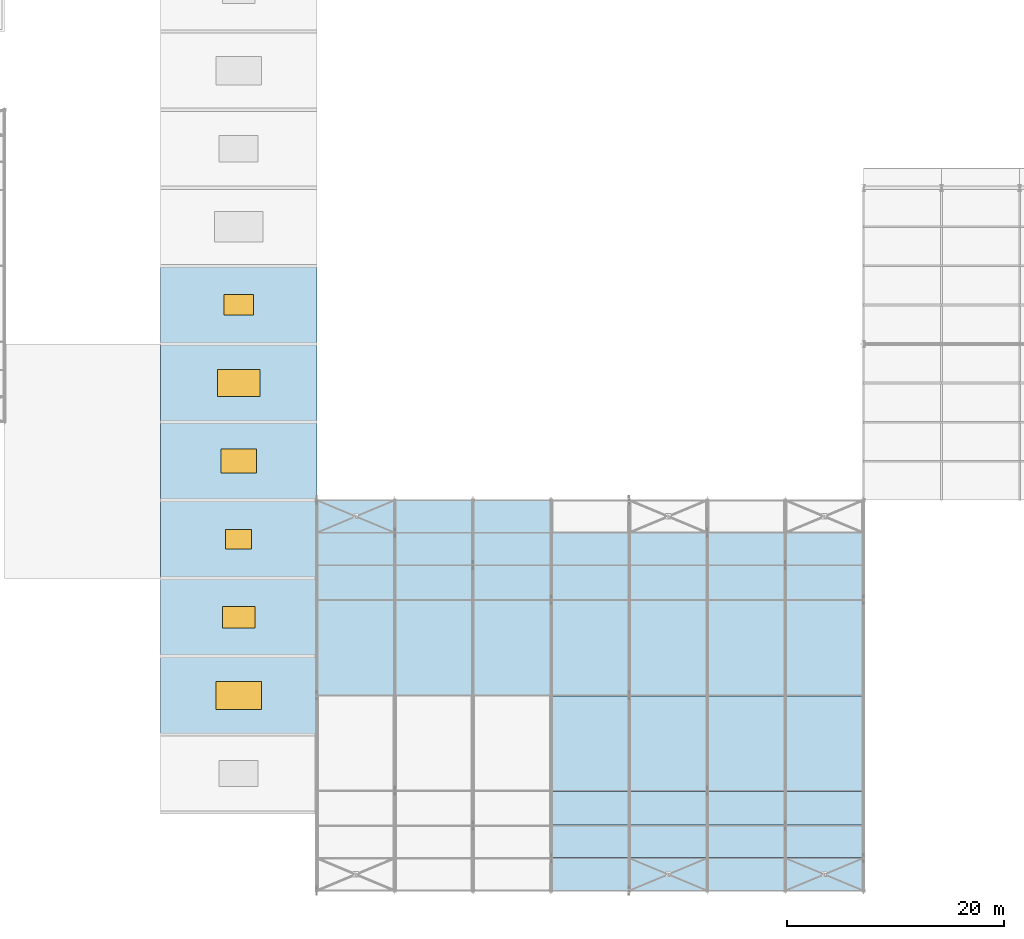
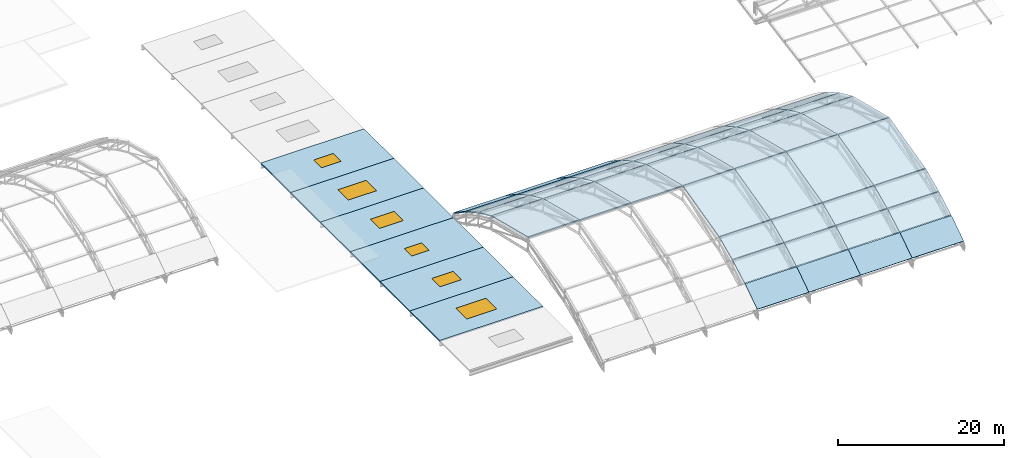
# One storey, part 35 of 63: 46 slabs, 6 windows, 6 openings, 2 elements without a shape of their own.
"""IFC4 building model written with IfcOpenShell, lengths in metres."""

from ifc_helpers import new_model, si_unit, direction, frame, origin, origin_2d, place, context, subcontext, project, spatial, polyline, rectangle, outline, extrude, material, layer, layer_set, type_object, element, fill, aggregate, save


model = new_model("IFC4")

# Units and contexts
model_context = context("Model", 3, precision=1e-05, world=origin(), true_north=direction((0.0, 1.0)))
body_context = subcontext(model_context, "Body", "Model", "MODEL_VIEW")
ifc_project = project(units=[si_unit("LENGTHUNIT", "METRE"), si_unit("AREAUNIT", "SQUARE_METRE"), si_unit("VOLUMEUNIT", "CUBIC_METRE"), si_unit("PLANEANGLEUNIT", "RADIAN"), si_unit("MASSUNIT", "GRAM", prefix="KILO")], contexts=[model_context])

# Site, building, storey
site_placement = place(None, origin())
site = spatial("IfcSite", under=ifc_project, at=site_placement, CompositionType="ELEMENT")
building_placement = place(site_placement, origin())
building = spatial("IfcBuilding", under=site, at=building_placement, Name="Solvadek Multi-Sports Hall", CompositionType="ELEMENT")
storey_placement = place(building_placement, frame((0.0, 0.0, 19.199951171875)))
storey = spatial("IfcBuildingStorey", under=building, at=storey_placement, Name="RF", CompositionType="ELEMENT", Elevation=19.199951171875)

# Roof, slabs
ifc_material_1 = material(Name="Steel E350 (350 MPa)", Category="steel")
roof_type_1 = type_object("IfcRoofType", Name="STR-ROOF-BARREL", PredefinedType="BARREL_ROOF", material=ifc_material_1)
roof_1_placement = place(storey_placement, origin())
roof_1 = element("IfcRoof", 1, at=roof_1_placement, inside=storey, type_object=roof_type_1, Name="V1 Competition Hall Barrel Vault Roof", PredefinedType="BARREL_ROOF")
ifc_material_2 = material(Name="Verdigris-coated precast concrete M40", Category="concrete")
ifc_layer_1 = layer(ifc_material_2, 0.14990234375, Name="Verdigris-coated precast concrete M40")
ifc_layer_set_1 = layer_set([ifc_layer_1], Name="Verdigris-coated precast concrete M40")
slab_type_1 = type_object("IfcSlabType", Name="STR-SLB-ROOF150", PredefinedType="ROOF", material=ifc_layer_set_1)
slab_1_placement = place(storey_placement, frame((86.39990234375, 24.035888671875, 4.455810546875), z_axis=(0.0, 0.243059100651, 0.970011481164), x_axis=(1.0, 0.0, 0.0)))
slab_1 = element("IfcSlab", 2, at=slab_1_placement, type_object=slab_type_1, Name="V1 Vaulted Roof Deck Bay 1.5", PredefinedType="ROOF", context=body_context, shape_type="SweptSolid", body=[
    extrude(outline(polyline([(0.0, 0.0), (7.2001953125, 0.0), (7.2001953125, 8.997859832826778), (0.0, 8.997859832826778), (0.0, 0.0)])), origin(), (0.0, 0.0, -1.0), 0.14990234375),
])
slab_2_placement = place(storey_placement, frame((86.39990234375, 32.8359375, 2.243408203125), z_axis=(0.0, 0.412913738575, 0.910770138123), x_axis=(1.0, 0.0, 0.0)))
slab_2 = element("IfcSlab", 3, at=slab_2_placement, type_object=slab_type_1, Name="V1 Vaulted Roof Deck Bay 1.6", PredefinedType="ROOF", context=body_context, shape_type="SweptSolid", body=[
    extrude(outline(polyline([(0.0, 0.0), (7.2001953125, 0.0), (7.2001953125, 3.434646896276404), (0.0, 3.434646896276404), (0.0, 0.0)])), origin(), (0.0, 0.0, -1.0), 0.14990234375),
])
slab_3_placement = place(storey_placement, frame((86.39990234375, 36.035888671875, 0.788818359375), z_axis=(0.0, 0.487625573172, 0.873052862311), x_axis=(1.0, 0.0, 0.0)))
slab_3 = element("IfcSlab", 4, at=slab_3_placement, type_object=slab_type_1, Name="V1 Vaulted Roof Deck Bay 1.7", PredefinedType="ROOF", context=body_context, shape_type="SweptSolid", body=[
    extrude(outline(polyline([(0.0, 0.0), (7.2001953125, 0.0), (7.2001953125, 3.35400384405083), (0.0, 3.35400384405083), (0.0, 0.0)])), origin(), (0.0, 0.0, -1.0), 0.14990234375),
])
slab_4_placement = place(storey_placement, frame((86.39990234375, 39.035888671875, -0.890869140625), z_axis=(0.0, 0.555458630564, 0.831544171847), x_axis=(1.0, 0.0, 0.0)))
slab_4 = element("IfcSlab", 5, at=slab_4_placement, type_object=slab_type_1, Name="V1 Vaulted Roof Deck Bay 1.8", PredefinedType="ROOF", context=body_context, shape_type="SweptSolid", body=[
    extrude(outline(polyline([(0.0, 0.0), (7.2001953125, 0.0), (7.2001953125, 3.5645867393220243), (0.0, 3.5645867393220243), (0.0, 0.0)])), origin(), (0.0, 0.0, -1.0), 0.14990234375),
])
slab_5_placement = place(storey_placement, frame((93.60009765625, 24.035888671875, 4.455810546875), z_axis=(0.0, 0.243059100651, 0.970011481164), x_axis=(1.0, 0.0, 0.0)))
slab_5 = element("IfcSlab", 6, at=slab_5_placement, type_object=slab_type_1, Name="V1 Vaulted Roof Deck Bay 2.5", PredefinedType="ROOF", context=body_context, shape_type="SweptSolid", body=[
    extrude(outline(polyline([(0.0, 0.0), (7.199951171875, 0.0), (7.199951171875, 8.997859832826775), (0.0, 8.997859832826775), (0.0, 0.0)])), origin(), (0.0, 0.0, -1.0), 0.14990234375),
])
slab_6_placement = place(storey_placement, frame((93.60009765625, 32.8359375, 2.243408203125), z_axis=(0.0, 0.412913738575, 0.910770138123), x_axis=(1.0, 0.0, 0.0)))
slab_6 = element("IfcSlab", 7, at=slab_6_placement, type_object=slab_type_1, Name="V1 Vaulted Roof Deck Bay 2.6", PredefinedType="ROOF", context=body_context, shape_type="SweptSolid", body=[
    extrude(outline(polyline([(0.0, 0.0), (7.199951171875, 0.0), (7.199951171875, 3.434646896276404), (0.0, 3.434646896276404), (0.0, 0.0)])), origin(), (0.0, 0.0, -1.0), 0.14990234375),
])
slab_7_placement = place(storey_placement, frame((93.60009765625, 36.035888671875, 0.788818359375), z_axis=(0.0, 0.487625573172, 0.873052862311), x_axis=(1.0, 0.0, 0.0)))
slab_7 = element("IfcSlab", 8, at=slab_7_placement, type_object=slab_type_1, Name="V1 Vaulted Roof Deck Bay 2.7", PredefinedType="ROOF", context=body_context, shape_type="SweptSolid", body=[
    extrude(outline(polyline([(0.0, 0.0), (7.199951171875, 0.0), (7.199951171875, 3.35400384405083), (0.0, 3.35400384405083), (0.0, 0.0)])), origin(), (0.0, 0.0, -1.0), 0.14990234375),
])
slab_8_placement = place(storey_placement, frame((93.60009765625, 39.035888671875, -0.890869140625), z_axis=(0.0, 0.555458630564, 0.831544171847), x_axis=(1.0, 0.0, 0.0)))
slab_8 = element("IfcSlab", 9, at=slab_8_placement, type_object=slab_type_1, Name="V1 Vaulted Roof Deck Bay 2.8", PredefinedType="ROOF", context=body_context, shape_type="SweptSolid", body=[
    extrude(outline(polyline([(0.0, 0.0), (7.199951171875, 0.0), (7.199951171875, 3.5645867393220243), (0.0, 3.5645867393220243), (0.0, 0.0)])), origin(), (0.0, 0.0, -1.0), 0.14990234375),
])
slab_9_placement = place(storey_placement, frame((100.800048828125, 24.035888671875, 4.455810546875), z_axis=(0.0, 0.243059100651, 0.970011481164), x_axis=(1.0, 0.0, 0.0)))
slab_9 = element("IfcSlab", 10, at=slab_9_placement, type_object=slab_type_1, Name="V1 Vaulted Roof Deck Bay 3.5", PredefinedType="ROOF", context=body_context, shape_type="SweptSolid", body=[
    extrude(outline(polyline([(0.0, 0.0), (7.199951171875, 0.0), (7.199951171875, 8.997859832826775), (0.0, 8.997859832826775), (0.0, 0.0)])), origin(), (0.0, 0.0, -1.0), 0.14990234375),
])
slab_10_placement = place(storey_placement, frame((100.800048828125, 32.8359375, 2.243408203125), z_axis=(0.0, 0.412913738575, 0.910770138123), x_axis=(1.0, 0.0, 0.0)))
slab_10 = element("IfcSlab", 11, at=slab_10_placement, type_object=slab_type_1, Name="V1 Vaulted Roof Deck Bay 3.6", PredefinedType="ROOF", context=body_context, shape_type="SweptSolid", body=[
    extrude(outline(polyline([(0.0, 0.0), (7.199951171875, 0.0), (7.199951171875, 3.434646896276404), (0.0, 3.434646896276404), (0.0, 0.0)])), origin(), (0.0, 0.0, -1.0), 0.14990234375),
])
slab_11_placement = place(storey_placement, frame((100.800048828125, 36.035888671875, 0.788818359375), z_axis=(0.0, 0.487625573172, 0.873052862311), x_axis=(1.0, 0.0, 0.0)))
slab_11 = element("IfcSlab", 12, at=slab_11_placement, type_object=slab_type_1, Name="V1 Vaulted Roof Deck Bay 3.7", PredefinedType="ROOF", context=body_context, shape_type="SweptSolid", body=[
    extrude(outline(polyline([(0.0, 0.0), (7.199951171875, 0.0), (7.199951171875, 3.35400384405083), (0.0, 3.35400384405083), (0.0, 0.0)])), origin(), (0.0, 0.0, -1.0), 0.14990234375),
])
slab_12_placement = place(storey_placement, frame((100.800048828125, 39.035888671875, -0.890869140625), z_axis=(0.0, 0.555458630564, 0.831544171847), x_axis=(1.0, 0.0, 0.0)))
slab_12 = element("IfcSlab", 13, at=slab_12_placement, type_object=slab_type_1, Name="V1 Vaulted Roof Deck Bay 3.8", PredefinedType="ROOF", context=body_context, shape_type="SweptSolid", body=[
    extrude(outline(polyline([(0.0, 0.0), (7.199951171875, 0.0), (7.199951171875, 3.5645867393220243), (0.0, 3.5645867393220243), (0.0, 0.0)])), origin(), (0.0, 0.0, -1.0), 0.14990234375),
])
slab_13_placement = place(storey_placement, frame((108.0, 6.0, -2.870849609375), z_axis=(0.0, -0.555458630564, 0.831544171847), x_axis=(1.0, 0.0, 0.0)))
slab_13 = element("IfcSlab", 14, at=slab_13_placement, type_object=slab_type_1, Name="V1 Vaulted Roof Deck Bay 4.1", PredefinedType="ROOF", context=body_context, shape_type="SweptSolid", body=[
    extrude(outline(polyline([(0.0, 0.0), (7.199951171875, 0.0), (7.199951171875, 3.5645867393220243), (0.0, 3.5645867393220243), (0.0, 0.0)])), origin(), (0.0, 0.0, -1.0), 0.14990234375),
])
slab_14_placement = place(storey_placement, frame((108.0, 9.035888671875, -0.8466796875), z_axis=(0.0, -0.487625573172, 0.873052862311), x_axis=(1.0, 0.0, 0.0)))
slab_14 = element("IfcSlab", 15, at=slab_14_placement, type_object=slab_type_1, Name="V1 Vaulted Roof Deck Bay 4.2", PredefinedType="ROOF", context=body_context, shape_type="SweptSolid", body=[
    extrude(outline(polyline([(0.0, 0.0), (7.199951171875, 0.0), (7.199951171875, 3.35400384405083), (0.0, 3.35400384405083), (0.0, 0.0)])), origin(), (0.0, 0.0, -1.0), 0.14990234375),
])
slab_15_placement = place(storey_placement, frame((108.0, 12.035888671875, 0.8251953125), z_axis=(0.0, -0.412913738575, 0.910770138123), x_axis=(1.0, 0.0, 0.0)))
slab_15 = element("IfcSlab", 16, at=slab_15_placement, type_object=slab_type_1, Name="V1 Vaulted Roof Deck Bay 4.3", PredefinedType="ROOF", context=body_context, shape_type="SweptSolid", body=[
    extrude(outline(polyline([(0.0, 0.0), (7.199951171875, 0.0), (7.199951171875, 3.434646896276404), (0.0, 3.434646896276404), (0.0, 0.0)])), origin(), (0.0, 0.0, -1.0), 0.14990234375),
])
slab_16_placement = place(storey_placement, frame((108.0, 15.236083984375, 2.268798828125), z_axis=(0.0, -0.243059100651, 0.970011481164), x_axis=(1.0, 0.0, 0.0)))
slab_16 = element("IfcSlab", 17, at=slab_16_placement, type_object=slab_type_1, Name="V1 Vaulted Roof Deck Bay 4.4", PredefinedType="ROOF", context=body_context, shape_type="SweptSolid", body=[
    extrude(outline(polyline([(0.0, 0.0), (7.199951171875, 0.0), (7.199951171875, 8.997859832826775), (0.0, 8.997859832826775), (0.0, 0.0)])), origin(), (0.0, 0.0, -1.0), 0.14990234375),
])
slab_17_placement = place(storey_placement, frame((108.0, 24.035888671875, 4.455810546875), z_axis=(0.0, 0.243059100651, 0.970011481164), x_axis=(1.0, 0.0, 0.0)))
slab_17 = element("IfcSlab", 18, at=slab_17_placement, type_object=slab_type_1, Name="V1 Vaulted Roof Deck Bay 4.5", PredefinedType="ROOF", context=body_context, shape_type="SweptSolid", body=[
    extrude(outline(polyline([(0.0, 0.0), (7.199951171875, 0.0), (7.199951171875, 8.997859832826775), (0.0, 8.997859832826775), (0.0, 0.0)])), origin(), (0.0, 0.0, -1.0), 0.14990234375),
])
slab_18_placement = place(storey_placement, frame((108.0, 32.8359375, 2.243408203125), z_axis=(0.0, 0.412913738575, 0.910770138123), x_axis=(1.0, 0.0, 0.0)))
slab_18 = element("IfcSlab", 19, at=slab_18_placement, type_object=slab_type_1, Name="V1 Vaulted Roof Deck Bay 4.6", PredefinedType="ROOF", context=body_context, shape_type="SweptSolid", body=[
    extrude(outline(polyline([(0.0, 0.0), (7.199951171875, 0.0), (7.199951171875, 3.434646896276404), (0.0, 3.434646896276404), (0.0, 0.0)])), origin(), (0.0, 0.0, -1.0), 0.14990234375),
])
slab_19_placement = place(storey_placement, frame((108.0, 36.035888671875, 0.788818359375), z_axis=(0.0, 0.487625573172, 0.873052862311), x_axis=(1.0, 0.0, 0.0)))
slab_19 = element("IfcSlab", 20, at=slab_19_placement, type_object=slab_type_1, Name="V1 Vaulted Roof Deck Bay 4.7", PredefinedType="ROOF", context=body_context, shape_type="SweptSolid", body=[
    extrude(outline(polyline([(0.0, 0.0), (7.199951171875, 0.0), (7.199951171875, 3.35400384405083), (0.0, 3.35400384405083), (0.0, 0.0)])), origin(), (0.0, 0.0, -1.0), 0.14990234375),
])
slab_20_placement = place(storey_placement, frame((115.199951171875, 6.0, -2.870849609375), z_axis=(0.0, -0.555458630564, 0.831544171847), x_axis=(1.0, 0.0, 0.0)))
slab_20 = element("IfcSlab", 21, at=slab_20_placement, type_object=slab_type_1, Name="V1 Vaulted Roof Deck Bay 5.1", PredefinedType="ROOF", context=body_context, shape_type="SweptSolid", body=[
    extrude(outline(polyline([(0.0, 0.0), (7.199951171875, 0.0), (7.199951171875, 3.5645867393220243), (0.0, 3.5645867393220243), (0.0, 0.0)])), origin(), (0.0, 0.0, -1.0), 0.14990234375),
])
slab_21_placement = place(storey_placement, frame((115.199951171875, 9.035888671875, -0.8466796875), z_axis=(0.0, -0.487625573172, 0.873052862311), x_axis=(1.0, 0.0, 0.0)))
slab_21 = element("IfcSlab", 22, at=slab_21_placement, type_object=slab_type_1, Name="V1 Vaulted Roof Deck Bay 5.2", PredefinedType="ROOF", context=body_context, shape_type="SweptSolid", body=[
    extrude(outline(polyline([(0.0, 0.0), (7.199951171875, 0.0), (7.199951171875, 3.35400384405083), (0.0, 3.35400384405083), (0.0, 0.0)])), origin(), (0.0, 0.0, -1.0), 0.14990234375),
])
slab_22_placement = place(storey_placement, frame((115.199951171875, 12.035888671875, 0.8251953125), z_axis=(0.0, -0.412913738575, 0.910770138123), x_axis=(1.0, 0.0, 0.0)))
slab_22 = element("IfcSlab", 23, at=slab_22_placement, type_object=slab_type_1, Name="V1 Vaulted Roof Deck Bay 5.3", PredefinedType="ROOF", context=body_context, shape_type="SweptSolid", body=[
    extrude(outline(polyline([(0.0, 0.0), (7.199951171875, 0.0), (7.199951171875, 3.434646896276404), (0.0, 3.434646896276404), (0.0, 0.0)])), origin(), (0.0, 0.0, -1.0), 0.14990234375),
])
slab_23_placement = place(storey_placement, frame((115.199951171875, 15.236083984375, 2.268798828125), z_axis=(0.0, -0.243059100651, 0.970011481164), x_axis=(1.0, 0.0, 0.0)))
slab_23 = element("IfcSlab", 24, at=slab_23_placement, type_object=slab_type_1, Name="V1 Vaulted Roof Deck Bay 5.4", PredefinedType="ROOF", context=body_context, shape_type="SweptSolid", body=[
    extrude(outline(polyline([(0.0, 0.0), (7.199951171875, 0.0), (7.199951171875, 8.997859832826775), (0.0, 8.997859832826775), (0.0, 0.0)])), origin(), (0.0, 0.0, -1.0), 0.14990234375),
])
slab_24_placement = place(storey_placement, frame((115.199951171875, 24.035888671875, 4.455810546875), z_axis=(0.0, 0.243059100651, 0.970011481164), x_axis=(1.0, 0.0, 0.0)))
slab_24 = element("IfcSlab", 25, at=slab_24_placement, type_object=slab_type_1, Name="V1 Vaulted Roof Deck Bay 5.5", PredefinedType="ROOF", context=body_context, shape_type="SweptSolid", body=[
    extrude(outline(polyline([(0.0, 0.0), (7.199951171875, 0.0), (7.199951171875, 8.997859832826775), (0.0, 8.997859832826775), (0.0, 0.0)])), origin(), (0.0, 0.0, -1.0), 0.14990234375),
])
slab_25_placement = place(storey_placement, frame((115.199951171875, 32.8359375, 2.243408203125), z_axis=(0.0, 0.412913738575, 0.910770138123), x_axis=(1.0, 0.0, 0.0)))
slab_25 = element("IfcSlab", 26, at=slab_25_placement, type_object=slab_type_1, Name="V1 Vaulted Roof Deck Bay 5.6", PredefinedType="ROOF", context=body_context, shape_type="SweptSolid", body=[
    extrude(outline(polyline([(0.0, 0.0), (7.199951171875, 0.0), (7.199951171875, 3.434646896276404), (0.0, 3.434646896276404), (0.0, 0.0)])), origin(), (0.0, 0.0, -1.0), 0.14990234375),
])
slab_26_placement = place(storey_placement, frame((115.199951171875, 36.035888671875, 0.788818359375), z_axis=(0.0, 0.487625573172, 0.873052862311), x_axis=(1.0, 0.0, 0.0)))
slab_26 = element("IfcSlab", 27, at=slab_26_placement, type_object=slab_type_1, Name="V1 Vaulted Roof Deck Bay 5.7", PredefinedType="ROOF", context=body_context, shape_type="SweptSolid", body=[
    extrude(outline(polyline([(0.0, 0.0), (7.199951171875, 0.0), (7.199951171875, 3.35400384405083), (0.0, 3.35400384405083), (0.0, 0.0)])), origin(), (0.0, 0.0, -1.0), 0.14990234375),
])
slab_27_placement = place(storey_placement, frame((122.39990234375, 6.0, -2.870849609375), z_axis=(0.0, -0.555458630564, 0.831544171847), x_axis=(1.0, 0.0, 0.0)))
slab_27 = element("IfcSlab", 28, at=slab_27_placement, type_object=slab_type_1, Name="V1 Vaulted Roof Deck Bay 6.1", PredefinedType="ROOF", context=body_context, shape_type="SweptSolid", body=[
    extrude(outline(polyline([(0.0, 0.0), (7.2001953125, 0.0), (7.2001953125, 3.5645867393220243), (0.0, 3.5645867393220243), (0.0, 0.0)])), origin(), (0.0, 0.0, -1.0), 0.14990234375),
])
slab_28_placement = place(storey_placement, frame((122.39990234375, 9.035888671875, -0.8466796875), z_axis=(0.0, -0.487625573172, 0.873052862311), x_axis=(1.0, 0.0, 0.0)))
slab_28 = element("IfcSlab", 29, at=slab_28_placement, type_object=slab_type_1, Name="V1 Vaulted Roof Deck Bay 6.2", PredefinedType="ROOF", context=body_context, shape_type="SweptSolid", body=[
    extrude(outline(polyline([(0.0, 0.0), (7.2001953125, 0.0), (7.2001953125, 3.35400384405083), (0.0, 3.35400384405083), (0.0, 0.0)])), origin(), (0.0, 0.0, -1.0), 0.14990234375),
])
slab_29_placement = place(storey_placement, frame((122.39990234375, 12.035888671875, 0.8251953125), z_axis=(0.0, -0.412913738575, 0.910770138123), x_axis=(1.0, 0.0, 0.0)))
slab_29 = element("IfcSlab", 30, at=slab_29_placement, type_object=slab_type_1, Name="V1 Vaulted Roof Deck Bay 6.3", PredefinedType="ROOF", context=body_context, shape_type="SweptSolid", body=[
    extrude(outline(polyline([(0.0, 0.0), (7.2001953125, 0.0), (7.2001953125, 3.434646896276404), (0.0, 3.434646896276404), (0.0, 0.0)])), origin(), (0.0, 0.0, -1.0), 0.14990234375),
])
slab_30_placement = place(storey_placement, frame((122.39990234375, 15.236083984375, 2.268798828125), z_axis=(0.0, -0.243059100651, 0.970011481164), x_axis=(1.0, 0.0, 0.0)))
slab_30 = element("IfcSlab", 31, at=slab_30_placement, type_object=slab_type_1, Name="V1 Vaulted Roof Deck Bay 6.4", PredefinedType="ROOF", context=body_context, shape_type="SweptSolid", body=[
    extrude(outline(polyline([(0.0, 0.0), (7.2001953125, 0.0), (7.2001953125, 8.997859832826778), (0.0, 8.997859832826778), (0.0, 0.0)])), origin(), (0.0, 0.0, -1.0), 0.14990234375),
])
slab_31_placement = place(storey_placement, frame((122.39990234375, 24.035888671875, 4.455810546875), z_axis=(0.0, 0.243059100651, 0.970011481164), x_axis=(1.0, 0.0, 0.0)))
slab_31 = element("IfcSlab", 32, at=slab_31_placement, type_object=slab_type_1, Name="V1 Vaulted Roof Deck Bay 6.5", PredefinedType="ROOF", context=body_context, shape_type="SweptSolid", body=[
    extrude(outline(polyline([(0.0, 0.0), (7.2001953125, 0.0), (7.2001953125, 8.997859832826778), (0.0, 8.997859832826778), (0.0, 0.0)])), origin(), (0.0, 0.0, -1.0), 0.14990234375),
])
slab_32_placement = place(storey_placement, frame((122.39990234375, 32.8359375, 2.243408203125), z_axis=(0.0, 0.412913738575, 0.910770138123), x_axis=(1.0, 0.0, 0.0)))
slab_32 = element("IfcSlab", 33, at=slab_32_placement, type_object=slab_type_1, Name="V1 Vaulted Roof Deck Bay 6.6", PredefinedType="ROOF", context=body_context, shape_type="SweptSolid", body=[
    extrude(outline(polyline([(0.0, 0.0), (7.2001953125, 0.0), (7.2001953125, 3.434646896276404), (0.0, 3.434646896276404), (0.0, 0.0)])), origin(), (0.0, 0.0, -1.0), 0.14990234375),
])
slab_33_placement = place(storey_placement, frame((122.39990234375, 36.035888671875, 0.788818359375), z_axis=(0.0, 0.487625573172, 0.873052862311), x_axis=(1.0, 0.0, 0.0)))
slab_33 = element("IfcSlab", 34, at=slab_33_placement, type_object=slab_type_1, Name="V1 Vaulted Roof Deck Bay 6.7", PredefinedType="ROOF", context=body_context, shape_type="SweptSolid", body=[
    extrude(outline(polyline([(0.0, 0.0), (7.2001953125, 0.0), (7.2001953125, 3.35400384405083), (0.0, 3.35400384405083), (0.0, 0.0)])), origin(), (0.0, 0.0, -1.0), 0.14990234375),
])
slab_34_placement = place(storey_placement, frame((129.60009765625, 6.0, -2.870849609375), z_axis=(0.0, -0.555458630564, 0.831544171847), x_axis=(1.0, 0.0, 0.0)))
slab_34 = element("IfcSlab", 35, at=slab_34_placement, type_object=slab_type_1, Name="V1 Vaulted Roof Deck Bay 7.1", PredefinedType="ROOF", context=body_context, shape_type="SweptSolid", body=[
    extrude(outline(polyline([(0.0, 0.0), (7.199951171875, 0.0), (7.199951171875, 3.5645867393220243), (0.0, 3.5645867393220243), (0.0, 0.0)])), origin(), (0.0, 0.0, -1.0), 0.14990234375),
])
slab_35_placement = place(storey_placement, frame((129.60009765625, 9.035888671875, -0.8466796875), z_axis=(0.0, -0.487625573172, 0.873052862311), x_axis=(1.0, 0.0, 0.0)))
slab_35 = element("IfcSlab", 36, at=slab_35_placement, type_object=slab_type_1, Name="V1 Vaulted Roof Deck Bay 7.2", PredefinedType="ROOF", context=body_context, shape_type="SweptSolid", body=[
    extrude(outline(polyline([(0.0, 0.0), (7.199951171875, 0.0), (7.199951171875, 3.35400384405083), (0.0, 3.35400384405083), (0.0, 0.0)])), origin(), (0.0, 0.0, -1.0), 0.14990234375),
])
slab_36_placement = place(storey_placement, frame((129.60009765625, 12.035888671875, 0.8251953125), z_axis=(0.0, -0.412913738575, 0.910770138123), x_axis=(1.0, 0.0, 0.0)))
slab_36 = element("IfcSlab", 37, at=slab_36_placement, type_object=slab_type_1, Name="V1 Vaulted Roof Deck Bay 7.3", PredefinedType="ROOF", context=body_context, shape_type="SweptSolid", body=[
    extrude(outline(polyline([(0.0, 0.0), (7.199951171875, 0.0), (7.199951171875, 3.434646896276404), (0.0, 3.434646896276404), (0.0, 0.0)])), origin(), (0.0, 0.0, -1.0), 0.14990234375),
])
slab_37_placement = place(storey_placement, frame((129.60009765625, 15.236083984375, 2.268798828125), z_axis=(0.0, -0.243059100651, 0.970011481164), x_axis=(1.0, 0.0, 0.0)))
slab_37 = element("IfcSlab", 38, at=slab_37_placement, type_object=slab_type_1, Name="V1 Vaulted Roof Deck Bay 7.4", PredefinedType="ROOF", context=body_context, shape_type="SweptSolid", body=[
    extrude(outline(polyline([(0.0, 0.0), (7.199951171875, 0.0), (7.199951171875, 8.997859832826775), (0.0, 8.997859832826775), (0.0, 0.0)])), origin(), (0.0, 0.0, -1.0), 0.14990234375),
])
slab_38_placement = place(storey_placement, frame((129.60009765625, 24.035888671875, 4.455810546875), z_axis=(0.0, 0.243059100651, 0.970011481164), x_axis=(1.0, 0.0, 0.0)))
slab_38 = element("IfcSlab", 39, at=slab_38_placement, type_object=slab_type_1, Name="V1 Vaulted Roof Deck Bay 7.5", PredefinedType="ROOF", context=body_context, shape_type="SweptSolid", body=[
    extrude(outline(polyline([(0.0, 0.0), (7.199951171875, 0.0), (7.199951171875, 8.997859832826775), (0.0, 8.997859832826775), (0.0, 0.0)])), origin(), (0.0, 0.0, -1.0), 0.14990234375),
])
slab_39_placement = place(storey_placement, frame((129.60009765625, 32.8359375, 2.243408203125), z_axis=(0.0, 0.412913738575, 0.910770138123), x_axis=(1.0, 0.0, 0.0)))
slab_39 = element("IfcSlab", 40, at=slab_39_placement, type_object=slab_type_1, Name="V1 Vaulted Roof Deck Bay 7.6", PredefinedType="ROOF", context=body_context, shape_type="SweptSolid", body=[
    extrude(outline(polyline([(0.0, 0.0), (7.199951171875, 0.0), (7.199951171875, 3.434646896276404), (0.0, 3.434646896276404), (0.0, 0.0)])), origin(), (0.0, 0.0, -1.0), 0.14990234375),
])
slab_40_placement = place(storey_placement, frame((129.60009765625, 36.035888671875, 0.788818359375), z_axis=(0.0, 0.487625573172, 0.873052862311), x_axis=(1.0, 0.0, 0.0)))
slab_40 = element("IfcSlab", 41, at=slab_40_placement, type_object=slab_type_1, Name="V1 Vaulted Roof Deck Bay 7.7", PredefinedType="ROOF", context=body_context, shape_type="SweptSolid", body=[
    extrude(outline(polyline([(0.0, 0.0), (7.199951171875, 0.0), (7.199951171875, 3.35400384405083), (0.0, 3.35400384405083), (0.0, 0.0)])), origin(), (0.0, 0.0, -1.0), 0.14990234375),
])
aggregate(roof_1, [slab_1, slab_2, slab_3, slab_4, slab_5, slab_6, slab_7, slab_8, slab_9, slab_10, slab_11, slab_12, slab_13, slab_14, slab_15, slab_16, slab_17, slab_18, slab_19, slab_20, slab_21, slab_22, slab_23, slab_24, slab_25, slab_26, slab_27, slab_28, slab_29, slab_30, slab_31, slab_32, slab_33, slab_34, slab_35, slab_36, slab_37, slab_38, slab_39, slab_40])

# Roof, slabs, openings, windows
ifc_material_3 = material(Name="Concrete M35", Category="concrete")
roof_type_2 = type_object("IfcRoofType", Name="STR-ROOF-FLAT", PredefinedType="FLAT_ROOF", material=ifc_material_3)
roof_2_placement = place(storey_placement, origin())
roof_2 = element("IfcRoof", 42, at=roof_2_placement, inside=storey, type_object=roof_type_2, Name="V3 Glazed Passage Portal Roof", PredefinedType="FLAT_ROOF")
ifc_layer_2 = layer(ifc_material_3, 0.199951171875, Name="Concrete M35")
ifc_layer_set_2 = layer_set([ifc_layer_2], Name="Concrete M35")
slab_type_2 = type_object("IfcSlabType", Name="STR-SLB-ROOF200", PredefinedType="ROOF", material=ifc_layer_set_2)
slab_41_placement = place(storey_placement, frame((0.0, 0.0, -3.800048828125)))
slab_41 = element("IfcSlab", 43, at=slab_41_placement, type_object=slab_type_2, Name="V3 Skylit Passage Portal Roof Bay 2", PredefinedType="ROOF", context=body_context, shape_type="SweptSolid", body=[
    extrude(outline(polyline([(72.0, 20.39990234375), (86.39990234375, 20.39990234375), (86.39990234375, 27.60009765625), (72.0, 27.60009765625), (72.0, 20.39990234375)])), origin(), (0.0, 0.0, 1.0), 0.2001953125),
])
opening_1_placement = place(slab_41_placement, frame((79.199951171875, 24.0, 0.0)))
opening_1 = element("IfcOpeningElement", 44, at=opening_1_placement, cuts=slab_41, Name="Opening SK-02", PredefinedType="OPENING", context=body_context, shape_type="SweptSolid", body=[
    extrude(rectangle(XDim=4.199951171875, YDim=2.60009765625, at=origin_2d()), frame((0.0, 0.0, -0.02001953125)), (0.0, 0.0, 1.0), 0.240234375),
])
ifc_material_4 = material(Name="Tempered laminated low-E glass", Category="glass")
window_type_1 = type_object("IfcWindowType", Name="ENV-SKY-SK-02", PartitioningType="SINGLE_PANEL", PredefinedType="SKYLIGHT", material=ifc_material_4)
window_1_placement = place(opening_1_placement, frame((0.0, 0.0, 0.150146484375)))
window_1 = element("IfcWindow", 45, at=window_1_placement, inside=storey, type_object=window_type_1, Name="Passage Roof Skylight Lantern #2", OverallHeight=2.60009765625, OverallWidth=4.199951171875, PartitioningType="SINGLE_PANEL", PredefinedType="SKYLIGHT", context=body_context, shape_type="SweptSolid", body=[
    extrude(rectangle(XDim=4.199951171875, YDim=2.60009765625, at=origin_2d()), origin(), (0.0, 0.0, 1.0), 0.050048828125),
])
fill(opening_1, window_1)
slab_42_placement = place(storey_placement, frame((0.0, 0.0, -3.800048828125)))
slab_42 = element("IfcSlab", 46, at=slab_42_placement, type_object=slab_type_2, Name="V3 Skylit Passage Portal Roof Bay 3", PredefinedType="ROOF", context=body_context, shape_type="SweptSolid", body=[
    extrude(outline(polyline([(72.0, 27.60009765625), (86.39990234375, 27.60009765625), (86.39990234375, 34.800048828125), (72.0, 34.800048828125), (72.0, 27.60009765625)])), origin(), (0.0, 0.0, 1.0), 0.2001953125),
])
opening_2_placement = place(slab_42_placement, frame((79.199951171875, 31.199951171875, 0.0)))
opening_2 = element("IfcOpeningElement", 47, at=opening_2_placement, cuts=slab_42, Name="Opening SK-03", PredefinedType="OPENING", context=body_context, shape_type="SweptSolid", body=[
    extrude(rectangle(XDim=3.0, YDim=2.0, at=origin_2d()), frame((0.0, 0.0, -0.02001953125)), (0.0, 0.0, 1.0), 0.240234375),
])
window_type_2 = type_object("IfcWindowType", Name="ENV-SKY-SK-03", PartitioningType="SINGLE_PANEL", PredefinedType="SKYLIGHT", material=ifc_material_4)
window_2_placement = place(opening_2_placement, frame((0.0, 0.0, 0.150146484375)))
window_2 = element("IfcWindow", 48, at=window_2_placement, inside=storey, type_object=window_type_2, Name="Passage Roof Skylight Lantern #3", OverallHeight=2.0, OverallWidth=3.0, PartitioningType="SINGLE_PANEL", PredefinedType="SKYLIGHT", context=body_context, shape_type="SweptSolid", body=[
    extrude(rectangle(XDim=3.0, YDim=2.0, at=origin_2d()), origin(), (0.0, 0.0, 1.0), 0.050048828125),
])
fill(opening_2, window_2)
slab_43_placement = place(storey_placement, frame((0.0, 0.0, -3.800048828125)))
slab_43 = element("IfcSlab", 49, at=slab_43_placement, type_object=slab_type_2, Name="V3 Skylit Passage Portal Roof Bay 4", PredefinedType="ROOF", context=body_context, shape_type="SweptSolid", body=[
    extrude(outline(polyline([(72.0, 34.800048828125), (86.39990234375, 34.800048828125), (86.39990234375, 42.0), (72.0, 42.0), (72.0, 34.800048828125)])), origin(), (0.0, 0.0, 1.0), 0.2001953125),
])
opening_3_placement = place(slab_43_placement, frame((79.199951171875, 38.39990234375, 0.0)))
opening_3 = element("IfcOpeningElement", 50, at=opening_3_placement, cuts=slab_43, Name="Opening SK-04", PredefinedType="OPENING", context=body_context, shape_type="SweptSolid", body=[
    extrude(rectangle(XDim=2.39990234375, YDim=1.800048828125, at=origin_2d()), frame((0.0, 0.0, -0.02001953125)), (0.0, 0.0, 1.0), 0.240234375),
])
window_type_3 = type_object("IfcWindowType", Name="ENV-SKY-SK-04", PartitioningType="SINGLE_PANEL", PredefinedType="SKYLIGHT", material=ifc_material_4)
window_3_placement = place(opening_3_placement, frame((0.0, 0.0, 0.150146484375)))
window_3 = element("IfcWindow", 51, at=window_3_placement, inside=storey, type_object=window_type_3, Name="Passage Roof Skylight Lantern #4", OverallHeight=1.800048828125, OverallWidth=2.39990234375, PartitioningType="SINGLE_PANEL", PredefinedType="SKYLIGHT", context=body_context, shape_type="SweptSolid", body=[
    extrude(rectangle(XDim=2.39990234375, YDim=1.800048828125, at=origin_2d()), origin(), (0.0, 0.0, 1.0), 0.050048828125),
])
fill(opening_3, window_3)
slab_44_placement = place(storey_placement, frame((0.0, 0.0, -3.800048828125)))
slab_44 = element("IfcSlab", 52, at=slab_44_placement, type_object=slab_type_2, Name="V3 Skylit Passage Portal Roof Bay 5", PredefinedType="ROOF", context=body_context, shape_type="SweptSolid", body=[
    extrude(outline(polyline([(72.0, 42.0), (86.39990234375, 42.0), (86.39990234375, 49.199951171875), (72.0, 49.199951171875), (72.0, 42.0)])), origin(), (0.0, 0.0, 1.0), 0.2001953125),
])
opening_4_placement = place(slab_44_placement, frame((79.199951171875, 45.60009765625, 0.0)))
opening_4 = element("IfcOpeningElement", 53, at=opening_4_placement, cuts=slab_44, Name="Opening SK-05", PredefinedType="OPENING", context=body_context, shape_type="SweptSolid", body=[
    extrude(rectangle(XDim=3.300048828125, YDim=2.199951171875, at=origin_2d()), frame((0.0, 0.0, -0.02001953125)), (0.0, 0.0, 1.0), 0.240234375),
])
window_type_4 = type_object("IfcWindowType", Name="ENV-SKY-SK-05", PartitioningType="SINGLE_PANEL", PredefinedType="SKYLIGHT", material=ifc_material_4)
window_4_placement = place(opening_4_placement, frame((0.0, 0.0, 0.150146484375)))
window_4 = element("IfcWindow", 54, at=window_4_placement, inside=storey, type_object=window_type_4, Name="Passage Roof Skylight Lantern #5", OverallHeight=2.199951171875, OverallWidth=3.300048828125, PartitioningType="SINGLE_PANEL", PredefinedType="SKYLIGHT", context=body_context, shape_type="SweptSolid", body=[
    extrude(rectangle(XDim=3.300048828125, YDim=2.199951171875, at=origin_2d()), origin(), (0.0, 0.0, 1.0), 0.050048828125),
])
fill(opening_4, window_4)
slab_45_placement = place(storey_placement, frame((0.0, 0.0, -3.800048828125)))
slab_45 = element("IfcSlab", 55, at=slab_45_placement, type_object=slab_type_2, Name="V3 Skylit Passage Portal Roof Bay 6", PredefinedType="ROOF", context=body_context, shape_type="SweptSolid", body=[
    extrude(outline(polyline([(72.0, 49.199951171875), (86.39990234375, 49.199951171875), (86.39990234375, 56.39990234375), (72.0, 56.39990234375), (72.0, 49.199951171875)])), origin(), (0.0, 0.0, 1.0), 0.2001953125),
])
opening_5_placement = place(slab_45_placement, frame((79.199951171875, 52.800048828125, 0.0)))
opening_5 = element("IfcOpeningElement", 56, at=opening_5_placement, cuts=slab_45, Name="Opening SK-06", PredefinedType="OPENING", context=body_context, shape_type="SweptSolid", body=[
    extrude(rectangle(XDim=3.89990234375, YDim=2.5, at=origin_2d()), frame((0.0, 0.0, -0.02001953125)), (0.0, 0.0, 1.0), 0.240234375),
])
window_type_5 = type_object("IfcWindowType", Name="ENV-SKY-SK-06", PartitioningType="SINGLE_PANEL", PredefinedType="SKYLIGHT", material=ifc_material_4)
window_5_placement = place(opening_5_placement, frame((0.0, 0.0, 0.150146484375)))
window_5 = element("IfcWindow", 57, at=window_5_placement, inside=storey, type_object=window_type_5, Name="Passage Roof Skylight Lantern #6", OverallHeight=2.5, OverallWidth=3.89990234375, PartitioningType="SINGLE_PANEL", PredefinedType="SKYLIGHT", context=body_context, shape_type="SweptSolid", body=[
    extrude(rectangle(XDim=3.89990234375, YDim=2.5, at=origin_2d()), origin(), (0.0, 0.0, 1.0), 0.050048828125),
])
fill(opening_5, window_5)
slab_46_placement = place(storey_placement, frame((0.0, 0.0, -3.800048828125)))
slab_46 = element("IfcSlab", 58, at=slab_46_placement, type_object=slab_type_2, Name="V3 Skylit Passage Portal Roof Bay 7", PredefinedType="ROOF", context=body_context, shape_type="SweptSolid", body=[
    extrude(outline(polyline([(72.0, 56.39990234375), (86.39990234375, 56.39990234375), (86.39990234375, 63.60009765625), (72.0, 63.60009765625), (72.0, 56.39990234375)])), origin(), (0.0, 0.0, 1.0), 0.2001953125),
])
opening_6_placement = place(slab_46_placement, frame((79.199951171875, 60.0, 0.0)))
opening_6 = element("IfcOpeningElement", 59, at=opening_6_placement, cuts=slab_46, Name="Opening SK-07", PredefinedType="OPENING", context=body_context, shape_type="SweptSolid", body=[
    extrude(rectangle(XDim=2.699951171875, YDim=1.89990234375, at=origin_2d()), frame((0.0, 0.0, -0.02001953125)), (0.0, 0.0, 1.0), 0.240234375),
])
window_type_6 = type_object("IfcWindowType", Name="ENV-SKY-SK-07", PartitioningType="SINGLE_PANEL", PredefinedType="SKYLIGHT", material=ifc_material_4)
window_6_placement = place(opening_6_placement, frame((0.0, 0.0, 0.150146484375)))
window_6 = element("IfcWindow", 60, at=window_6_placement, inside=storey, type_object=window_type_6, Name="Passage Roof Skylight Lantern #7", OverallHeight=1.89990234375, OverallWidth=2.699951171875, PartitioningType="SINGLE_PANEL", PredefinedType="SKYLIGHT", context=body_context, shape_type="SweptSolid", body=[
    extrude(rectangle(XDim=2.699951171875, YDim=1.89990234375, at=origin_2d()), origin(), (0.0, 0.0, 1.0), 0.050048828125),
])
fill(opening_6, window_6)
aggregate(roof_2, [slab_41, slab_42, slab_43, slab_44, slab_45, slab_46])

save(model, "model.ifc")
